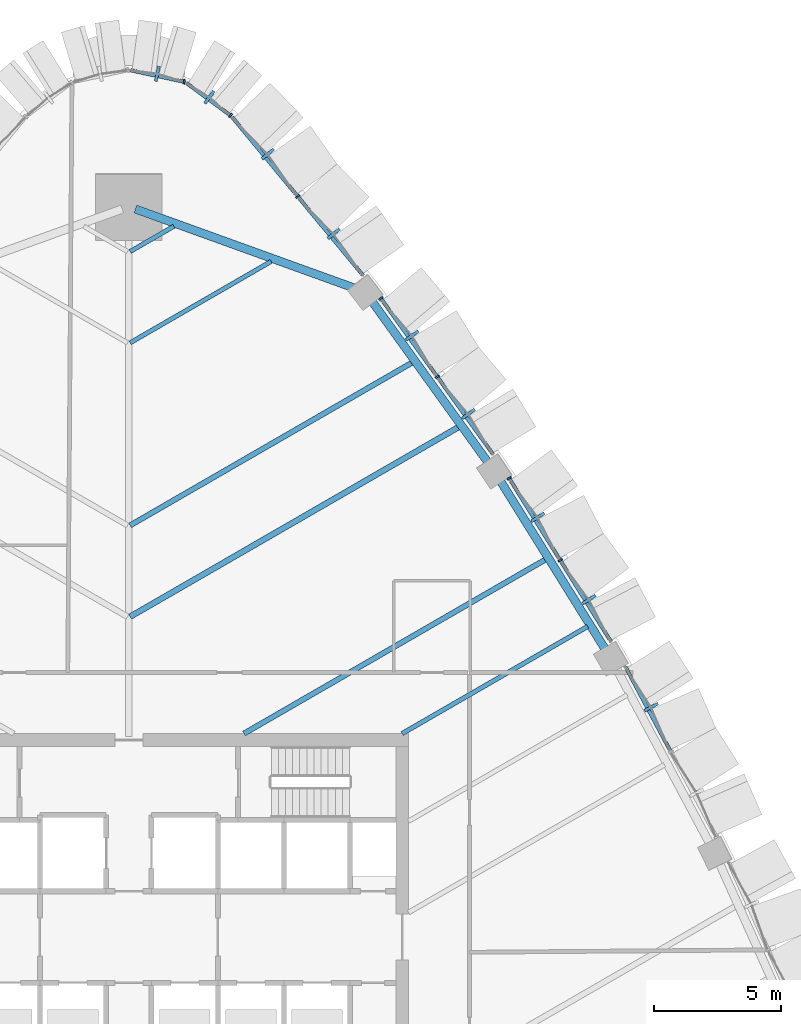
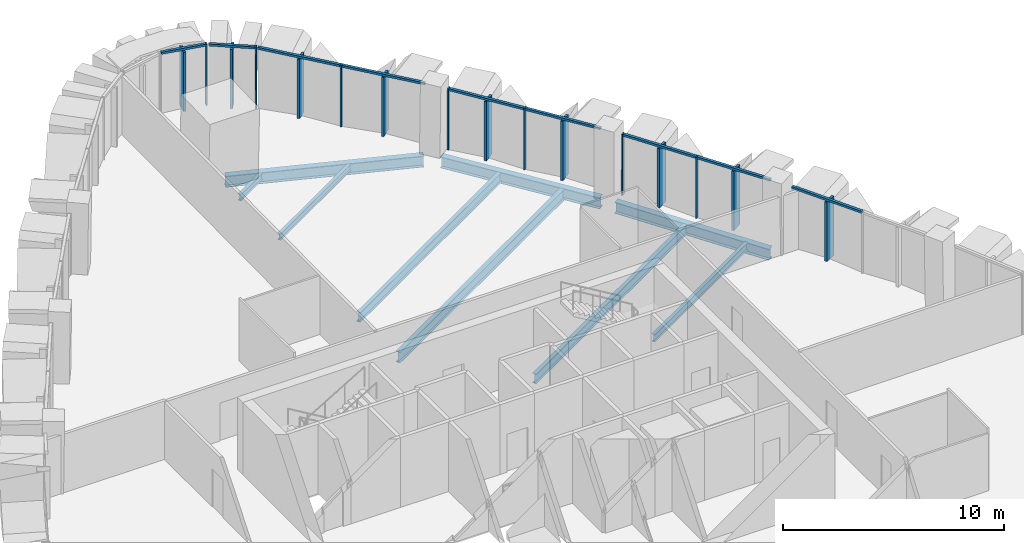
# One storey, part 7 of 18: 25 members, 9 beams, 6 elements without a shape of their own.
"""IFC4 building model written with IfcOpenShell, lengths in metres."""

from ifc_helpers import new_model, si_unit, direction, frame, origin, origin_2d, place, context, subcontext, project, spatial, rectangle, i_section, extrude, material, layer, layer_set, material_profile, profile_set, type_object, element, aggregate, save


model = new_model("IFC4")

# Units and contexts
model_context = context("Model", 3, precision=1e-05, world=origin(), true_north=direction((0.0, 1.0)))
body_context = subcontext(model_context, "Body", "Model", "MODEL_VIEW")
ifc_project = project(units=[si_unit("LENGTHUNIT", "METRE"), si_unit("AREAUNIT", "SQUARE_METRE"), si_unit("VOLUMEUNIT", "CUBIC_METRE"), si_unit("PLANEANGLEUNIT", "RADIAN"), si_unit("MASSUNIT", "GRAM", prefix="KILO")], contexts=[model_context])

# Site, building, storey
site_placement = place(None, origin())
site = spatial("IfcSite", under=ifc_project, at=site_placement, CompositionType="ELEMENT")
building_placement = place(site_placement, origin())
building = spatial("IfcBuilding", under=site, at=building_placement, Name="Sierra Prisma Convention Tower", CompositionType="ELEMENT")
storey_placement = place(building_placement, frame((0.0, 0.0, 133.800048828125)))
storey = spatial("IfcBuildingStorey", under=building, at=storey_placement, Name="L28", CompositionType="ELEMENT", Elevation=133.800048828125)

# Curtain wall, member
ifc_material_1 = material(Name="Aluminium and glass curtain wall", Category="aluminium")
ifc_layer = layer(ifc_material_1, 0.179931640625)
ifc_layer_set = layer_set([ifc_layer], Name="CW-2 Faceted crystal curtain wall")
curtain_wall_type = type_object("IfcCurtainWallType", Name="CW-2 Faceted crystal curtain wall", PredefinedType="NOTDEFINED", material=ifc_layer_set)
curtain_wall_1_placement = place(storey_placement, origin())
curtain_wall_1 = element("IfcCurtainWall", 1, at=curtain_wall_1_placement, inside=storey, type_object=curtain_wall_type, Name="CW-2 NE3 L28", PredefinedType="NOTDEFINED")
ifc_material_2 = material(Name="Aluminium 6063-T6 bronze anodised", Category="aluminium")
ifc_material_profile_1 = material_profile(ifc_material_2, rectangle(XDim=0.1201171875, YDim=0.60009765625, at=origin_2d()), Name="ALU RIDGE BLADE 120x600")
ifc_profile_set_1 = profile_set([ifc_material_profile_1], Name="Aluminium 6063-T6 bronze anodised")
member_type_1 = type_object("IfcMemberType", Name="CW hip bronze", PredefinedType="MULLION", material=ifc_profile_set_1)
member_1_placement = place(storey_placement, frame((20.54296875, 9.0380859375, 0.0), z_axis=(0.0, 0.0, 1.0), x_axis=(-0.470728465167, 0.882278137597, 0.0)))
member_1 = element("IfcMember", 2, at=member_1_placement, type_object=member_type_1, Name="CW-2 ridge NE3.2", PredefinedType="MULLION", context=body_context, shape_type="SweptSolid", body=[
    extrude(rectangle(XDim=0.1201171875, YDim=0.60009765625, at=origin_2d()), origin(), (0.0, 0.0, 1.0), 3.280029296875),
])

# Curtain wall, members
curtain_wall_2_placement = place(storey_placement, origin())
curtain_wall_2 = element("IfcCurtainWall", 3, at=curtain_wall_2_placement, inside=storey, type_object=curtain_wall_type, Name="CW-2 NE4 L28", PredefinedType="NOTDEFINED")
member_2_placement = place(storey_placement, frame((18.0986328125, 13.271484375, 0.0), z_axis=(0.0, 0.0, 1.0), x_axis=(-0.52871104778, 0.848801877917, 0.0)))
member_2 = element("IfcMember", 4, at=member_2_placement, type_object=member_type_1, Name="CW-2 ridge NE4.1", PredefinedType="MULLION", context=body_context, shape_type="SweptSolid", body=[
    extrude(rectangle(XDim=0.1201171875, YDim=0.60009765625, at=origin_2d()), origin(), (0.0, 0.0, 1.0), 3.280029296875),
])
member_3_placement = place(storey_placement, frame((16.083740234375, 16.506591796875, 0.0), z_axis=(0.0, 0.0, 1.0), x_axis=(-0.52871104778, 0.848801877917, 0.0)))
member_3 = element("IfcMember", 5, at=member_3_placement, type_object=member_type_1, Name="CW-2 ridge NE4.2", PredefinedType="MULLION", context=body_context, shape_type="SweptSolid", body=[
    extrude(rectangle(XDim=0.1201171875, YDim=0.60009765625, at=origin_2d()), origin(), (0.0, 0.0, 1.0), 3.280029296875),
])

curtain_wall_3_placement = place(storey_placement, origin())
curtain_wall_3 = element("IfcCurtainWall", 6, at=curtain_wall_3_placement, inside=storey, type_object=curtain_wall_type, Name="CW-2 NE5 L28", PredefinedType="NOTDEFINED")
member_4_placement = place(storey_placement, frame((13.359130859375, 20.57080078125, 0.0), z_axis=(0.0, 0.0, 1.0), x_axis=(-0.584323609195, 0.811520745106, 0.0)))
member_4 = element("IfcMember", 7, at=member_4_placement, type_object=member_type_1, Name="CW-2 ridge NE5.1", PredefinedType="MULLION", context=body_context, shape_type="SweptSolid", body=[
    extrude(rectangle(XDim=0.1201171875, YDim=0.60009765625, at=origin_2d()), origin(), (0.0, 0.0, 1.0), 3.280029296875),
])
member_5_placement = place(storey_placement, frame((11.14111328125, 23.651123046875, 0.0), z_axis=(0.0, 0.0, 1.0), x_axis=(-0.584323609195, 0.811520745106, 0.0)))
member_5 = element("IfcMember", 8, at=member_5_placement, type_object=member_type_1, Name="CW-2 ridge NE5.2", PredefinedType="MULLION", context=body_context, shape_type="SweptSolid", body=[
    extrude(rectangle(XDim=0.1201171875, YDim=0.60009765625, at=origin_2d()), origin(), (0.0, 0.0, 1.0), 3.280029296875),
])

curtain_wall_4_placement = place(storey_placement, origin())
curtain_wall_4 = element("IfcCurtainWall", 9, at=curtain_wall_4_placement, inside=storey, type_object=curtain_wall_type, Name="CW-2 NE6 L28", PredefinedType="NOTDEFINED")
member_6_placement = place(storey_placement, frame((8.0595703125, 27.654541015625, 0.0), z_axis=(0.0, 0.0, 1.0), x_axis=(-0.637316858315, 0.770601857062, 0.0)))
member_6 = element("IfcMember", 10, at=member_6_placement, type_object=member_type_1, Name="CW-2 ridge NE6.1", PredefinedType="MULLION", context=body_context, shape_type="SweptSolid", body=[
    extrude(rectangle(XDim=0.1201171875, YDim=0.60009765625, at=origin_2d()), origin(), (0.0, 0.0, 1.0), 3.280029296875),
])
member_7_placement = place(storey_placement, frame((5.46728515625, 30.7890625, 0.0), z_axis=(0.0, 0.0, 1.0), x_axis=(-0.637316858315, 0.770601857062, 0.0)))
member_7 = element("IfcMember", 11, at=member_7_placement, type_object=member_type_1, Name="CW-2 ridge NE6.2", PredefinedType="MULLION", context=body_context, shape_type="SweptSolid", body=[
    extrude(rectangle(XDim=0.1201171875, YDim=0.60009765625, at=origin_2d()), origin(), (0.0, 0.0, 1.0), 3.280029296875),
])

# Curtain wall, member
curtain_wall_5_placement = place(storey_placement, origin())
curtain_wall_5 = element("IfcCurtainWall", 12, at=curtain_wall_5_placement, inside=storey, type_object=curtain_wall_type, Name="CW-2 N1 L28", PredefinedType="NOTDEFINED")
member_8_placement = place(storey_placement, frame((3.16748046875, 33.019775390625, 0.0), z_axis=(0.0, 0.0, 1.0), x_axis=(-0.805233696443, 0.592957582052, 0.0)))
member_8 = element("IfcMember", 13, at=member_8_placement, type_object=member_type_1, Name="CW-2 ridge N1.1", PredefinedType="MULLION", context=body_context, shape_type="SweptSolid", body=[
    extrude(rectangle(XDim=0.1201171875, YDim=0.60009765625, at=origin_2d()), origin(), (0.0, 0.0, 1.0), 3.280029296875),
])

curtain_wall_6_placement = place(storey_placement, origin())
curtain_wall_6 = element("IfcCurtainWall", 14, at=curtain_wall_6_placement, inside=storey, type_object=curtain_wall_type, Name="CW-2 N2 L28", PredefinedType="NOTDEFINED")
member_9_placement = place(storey_placement, frame((1.121826171875, 33.941162109375, 0.0), z_axis=(0.0, 0.0, 1.0), x_axis=(-0.977701248375, 0.2100006403, 0.0)))
member_9 = element("IfcMember", 15, at=member_9_placement, type_object=member_type_1, Name="CW-2 ridge N2.1", PredefinedType="MULLION", context=body_context, shape_type="SweptSolid", body=[
    extrude(rectangle(XDim=0.1201171875, YDim=0.60009765625, at=origin_2d()), origin(), (0.0, 0.0, 1.0), 3.280029296875),
])

# Member
ifc_material_3 = material(Name="Aluminium 6063-T6 bronze anodised", Category="aluminium")
ifc_material_profile_2 = material_profile(ifc_material_3, rectangle(XDim=0.179931640625, YDim=0.070068359375, at=origin_2d()), Name="ALU MULLION 70x180")
ifc_profile_set_2 = profile_set([ifc_material_profile_2], Name="Aluminium 6063-T6 bronze anodised")
member_type_2 = type_object("IfcMemberType", Name="CW mullion bronze", PredefinedType="MULLION", material=ifc_profile_set_2)
member_10_placement = place(storey_placement, frame((16.96630859375, 14.811279296875, 0.0), z_axis=(0.0, 0.0, 1.0), x_axis=(-0.848801877917, -0.52871104778, 0.0)))
member_10 = element("IfcMember", 16, at=member_10_placement, type_object=member_type_2, Name="CW-1 mullion NE4.2", PredefinedType="MULLION", context=body_context, shape_type="SweptSolid", body=[
    extrude(rectangle(XDim=0.179931640625, YDim=0.070068359375, at=origin_2d()), origin(), (0.0, 0.0, 1.0), 3.39990234375),
])

member_11_placement = place(storey_placement, frame((14.951171875, 18.046142578125, 0.0), z_axis=(0.0, 0.0, 1.0), x_axis=(-0.848801877917, -0.52871104778, 0.0)))
member_11 = element("IfcMember", 17, at=member_11_placement, type_object=member_type_2, Name="CW-1 mullion NE4.3", PredefinedType="MULLION", context=body_context, shape_type="SweptSolid", body=[
    extrude(rectangle(XDim=0.179931640625, YDim=0.070068359375, at=origin_2d()), origin(), (0.0, 0.0, 1.0), 3.39990234375),
])

member_12_placement = place(storey_placement, frame((12.131103515625, 22.025390625, 0.0), z_axis=(0.0, 0.0, 1.0), x_axis=(-0.811520745106, -0.584323609195, 0.0)))
member_12 = element("IfcMember", 18, at=member_12_placement, type_object=member_type_2, Name="CW-1 mullion NE5.2", PredefinedType="MULLION", context=body_context, shape_type="SweptSolid", body=[
    extrude(rectangle(XDim=0.179931640625, YDim=0.070068359375, at=origin_2d()), origin(), (0.0, 0.0, 1.0), 3.39990234375),
])

member_13_placement = place(storey_placement, frame((9.9130859375, 25.105712890625, 0.0), z_axis=(0.0, 0.0, 1.0), x_axis=(-0.811520745106, -0.584323609195, 0.0)))
member_13 = element("IfcMember", 19, at=member_13_placement, type_object=member_type_2, Name="CW-1 mullion NE5.3", PredefinedType="MULLION", context=body_context, shape_type="SweptSolid", body=[
    extrude(rectangle(XDim=0.179931640625, YDim=0.070068359375, at=origin_2d()), origin(), (0.0, 0.0, 1.0), 3.39990234375),
])

member_14_placement = place(storey_placement, frame((6.64208984375, 29.12158203125, 0.0), z_axis=(0.0, 0.0, 1.0), x_axis=(-0.770601857062, -0.637316858315, 0.0)))
member_14 = element("IfcMember", 20, at=member_14_placement, type_object=member_type_2, Name="CW-1 mullion NE6.2", PredefinedType="MULLION", context=body_context, shape_type="SweptSolid", body=[
    extrude(rectangle(XDim=0.179931640625, YDim=0.070068359375, at=origin_2d()), origin(), (0.0, 0.0, 1.0), 3.39990234375),
])

member_15_placement = place(storey_placement, frame((3.99951171875, 32.3037109375, 0.0), z_axis=(0.0, 0.0, 1.0), x_axis=(-0.592957582052, -0.805233696443, 0.0)))
member_15 = element("IfcMember", 21, at=member_15_placement, type_object=member_type_2, Name="CW-1 mullion N1.1", PredefinedType="MULLION", context=body_context, shape_type="SweptSolid", body=[
    extrude(rectangle(XDim=0.179931640625, YDim=0.070068359375, at=origin_2d()), origin(), (0.0, 0.0, 1.0), 3.39990234375),
])

member_16_placement = place(storey_placement, frame((2.17431640625, 33.629638671875, 0.0), z_axis=(0.0, 0.0, 1.0), x_axis=(-0.2100006403, -0.977701248375, 0.0)))
member_16 = element("IfcMember", 22, at=member_16_placement, type_object=member_type_2, Name="CW-1 mullion N2.1", PredefinedType="MULLION", context=body_context, shape_type="SweptSolid", body=[
    extrude(rectangle(XDim=0.179931640625, YDim=0.070068359375, at=origin_2d()), origin(), (0.0, 0.0, 1.0), 3.39990234375),
])

ifc_material_4 = material(Name="Aluminium 6063-T6 bronze anodised", Category="aluminium")
ifc_material_profile_3 = material_profile(ifc_material_4, rectangle(XDim=0.139892578125, YDim=0.1201171875, at=origin_2d()), Name="ALU TRANSOM 120x140")
ifc_profile_set_3 = profile_set([ifc_material_profile_3], Name="Aluminium 6063-T6 bronze anodised")
member_type_3 = type_object("IfcMemberType", Name="CW transom bronze", PredefinedType="USERDEFINED", material=ifc_profile_set_3)
member_17_placement = place(storey_placement, frame((21.29345703125, 7.318603515625, 3.33984375), z_axis=(-0.470733882541, 0.882275247203, 0.0), x_axis=(-0.882275247203, -0.470733882541, 0.0)))
member_17 = element("IfcMember", 23, at=member_17_placement, type_object=member_type_3, Name="CW-1 transom NE3.2", ObjectType="TRANSOM", PredefinedType="USERDEFINED", context=body_context, shape_type="SweptSolid", body=[
    extrude(rectangle(XDim=0.139892578125, YDim=0.1201171875, at=origin_2d()), origin(), (0.0, 0.0, 1.0), 3.740966796875),
])

aggregate(curtain_wall_1, [member_17, member_1])

member_18_placement = place(storey_placement, frame((18.962646484375, 11.60595703125, 3.33984375), z_axis=(-0.528713718505, 0.848800214341, 0.0), x_axis=(-0.848800214341, -0.528713718505, 0.0)))
member_18 = element("IfcMember", 24, at=member_18_placement, type_object=member_type_3, Name="CW-1 transom NE4.1", ObjectType="TRANSOM", PredefinedType="USERDEFINED", context=body_context, shape_type="SweptSolid", body=[
    extrude(rectangle(XDim=0.139892578125, YDim=0.1201171875, at=origin_2d()), origin(), (0.0, 0.0, 1.0), 3.7412109375),
])

member_19_placement = place(storey_placement, frame((16.94775390625, 14.8408203125, 3.33984375), z_axis=(-0.528713718505, 0.848800214341, 0.0), x_axis=(-0.848800214341, -0.528713718505, 0.0)))
member_19 = element("IfcMember", 25, at=member_19_placement, type_object=member_type_3, Name="CW-1 transom NE4.2", ObjectType="TRANSOM", PredefinedType="USERDEFINED", context=body_context, shape_type="SweptSolid", body=[
    extrude(rectangle(XDim=0.139892578125, YDim=0.1201171875, at=origin_2d()), origin(), (0.0, 0.0, 1.0), 3.7412109375),
])

aggregate(curtain_wall_2, [member_10, member_11, member_18, member_2, member_19, member_3])

member_20_placement = place(storey_placement, frame((14.32861328125, 18.973388671875, 3.33984375), z_axis=(-0.584327167255, 0.811518183165, 0.0), x_axis=(-0.811518183165, -0.584327167255, 0.0)))
member_20 = element("IfcMember", 26, at=member_20_placement, type_object=member_type_3, Name="CW-1 transom NE5.1", ObjectType="TRANSOM", PredefinedType="USERDEFINED", context=body_context, shape_type="SweptSolid", body=[
    extrude(rectangle(XDim=0.139892578125, YDim=0.1201171875, at=origin_2d()), origin(), (0.0, 0.0, 1.0), 3.7255859375),
])

member_21_placement = place(storey_placement, frame((12.11083984375, 22.0537109375, 3.33984375), z_axis=(-0.584339247748, 0.811509484566, 0.0), x_axis=(-0.811509484566, -0.584339247748, 0.0)))
member_21 = element("IfcMember", 27, at=member_21_placement, type_object=member_type_3, Name="CW-1 transom NE5.2", ObjectType="TRANSOM", PredefinedType="USERDEFINED", context=body_context, shape_type="SweptSolid", body=[
    extrude(rectangle(XDim=0.139892578125, YDim=0.1201171875, at=origin_2d()), origin(), (0.0, 0.0, 1.0), 3.72607421875),
])

aggregate(curtain_wall_3, [member_12, member_13, member_20, member_4, member_21, member_5])

member_22_placement = place(storey_placement, frame((9.212158203125, 26.01416015625, 3.33984375), z_axis=(-0.637326439654, 0.770593932833, 0.0), x_axis=(-0.770593932833, -0.637326439654, 0.0)))
member_22 = element("IfcMember", 28, at=member_22_placement, type_object=member_type_3, Name="CW-1 transom NE6.1", ObjectType="TRANSOM", PredefinedType="USERDEFINED", context=body_context, shape_type="SweptSolid", body=[
    extrude(rectangle(XDim=0.139892578125, YDim=0.1201171875, at=origin_2d()), origin(), (0.0, 0.0, 1.0), 3.997314453125),
])

member_23_placement = place(storey_placement, frame((6.619873046875, 29.1484375, 3.33984375), z_axis=(-0.63729644502, 0.770618739173, 0.0), x_axis=(-0.770618739173, -0.63729644502, 0.0)))
member_23 = element("IfcMember", 29, at=member_23_placement, type_object=member_type_3, Name="CW-1 transom NE6.2", ObjectType="TRANSOM", PredefinedType="USERDEFINED", context=body_context, shape_type="SweptSolid", body=[
    extrude(rectangle(XDim=0.139892578125, YDim=0.1201171875, at=origin_2d()), origin(), (0.0, 0.0, 1.0), 3.99755859375),
])

aggregate(curtain_wall_4, [member_14, member_22, member_6, member_23, member_7])

member_24_placement = place(storey_placement, frame((3.97119140625, 32.324462890625, 3.33984375), z_axis=(-0.805264298509, 0.592916022339, 0.0), x_axis=(-0.592916022339, -0.805264298509, 0.0)))
member_24 = element("IfcMember", 30, at=member_24_placement, type_object=member_type_3, Name="CW-1 transom N1.1", ObjectType="TRANSOM", PredefinedType="USERDEFINED", context=body_context, shape_type="SweptSolid", body=[
    extrude(rectangle(XDim=0.139892578125, YDim=0.1201171875, at=origin_2d()), origin(), (0.0, 0.0, 1.0), 2.118896484375),
])

aggregate(curtain_wall_5, [member_15, member_24, member_8])

member_25_placement = place(storey_placement, frame((2.14013671875, 33.636962890625, 3.33984375), z_axis=(-0.977694377948, 0.21003262444, 0.0), x_axis=(-0.21003262444, -0.977694377948, 0.0)))
member_25 = element("IfcMember", 31, at=member_25_placement, type_object=member_type_3, Name="CW-1 transom N2.1", ObjectType="TRANSOM", PredefinedType="USERDEFINED", context=body_context, shape_type="SweptSolid", body=[
    extrude(rectangle(XDim=0.139892578125, YDim=0.1201171875, at=origin_2d()), origin(), (0.0, 0.0, 1.0), 2.119140625),
])

aggregate(curtain_wall_6, [member_16, member_25, member_9])

# Beams
ifc_material_5 = material(Name="Steel ASTM A992 Gr 50", Category="steel")
ifc_material_profile_4 = material_profile(ifc_material_5, i_section(OverallWidth=0.172119140625, OverallDepth=0.35791015625, WebThickness=0.0078125, FlangeThickness=0.01318359375, at=origin_2d()), Name="W360x57")
ifc_profile_set_4 = profile_set([ifc_material_profile_4], Name="Steel ASTM A992 Gr 50")
beam_type_1 = type_object("IfcBeamType", Name="Floor joist W360x57", PredefinedType="JOIST", material=ifc_profile_set_4)
beam_1_placement = place(storey_placement, frame((5.597412109375, 26.565185546875, -0.3291015625), z_axis=(-0.866022445337, -0.500005124146, 0.0), x_axis=(0.500005124146, -0.866022445337, 0.0)))
element("IfcBeam", 32, at=beam_1_placement, inside=storey, type_object=beam_type_1, Name="Floor joist L28 NE15", PredefinedType="JOIST", context=body_context, shape_type="SweptSolid", body=[
    extrude(i_section(OverallWidth=0.172119140625, OverallDepth=0.35791015625, WebThickness=0.0078125, FlangeThickness=0.01318359375, at=origin_2d()), origin(), (0.0, 0.0, 1.0), 6.40478515625),
])
beam_2_placement = place(storey_placement, frame((1.77197265625, 27.9462890625, -0.3291015625), z_axis=(-0.866042392862, -0.4999705729, 0.0), x_axis=(0.4999705729, -0.866042392862, 0.0)))
element("IfcBeam", 33, at=beam_2_placement, inside=storey, type_object=beam_type_1, Name="Floor joist L28 NE16", PredefinedType="JOIST", context=body_context, shape_type="SweptSolid", body=[
    extrude(i_section(OverallWidth=0.172119140625, OverallDepth=0.35791015625, WebThickness=0.0078125, FlangeThickness=0.01318359375, at=origin_2d()), origin(), (0.0, 0.0, 1.0), 1.9873046875),
])
ifc_material_6 = material(Name="Steel ASTM A992 Gr 50", Category="steel")
ifc_material_profile_5 = material_profile(ifc_material_6, i_section(OverallWidth=0.177978515625, OverallDepth=0.406982421875, WebThickness=0.0078125, FlangeThickness=0.0126953125, at=origin_2d()), Name="W410x60")
ifc_profile_set_5 = profile_set([ifc_material_profile_5], Name="Steel ASTM A992 Gr 50")
beam_type_2 = type_object("IfcBeamType", Name="Floor joist W410x60", PredefinedType="JOIST", material=ifc_profile_set_5)
beam_3_placement = place(storey_placement, frame((18.041259765625, 12.2109375, -0.353515625), z_axis=(-0.86602966267, -0.499992623322, 0.0), x_axis=(0.499992623322, -0.86602966267, 0.0)))
element("IfcBeam", 34, at=beam_3_placement, inside=storey, type_object=beam_type_2, Name="Floor joist L28 NE09", PredefinedType="JOIST", context=body_context, shape_type="SweptSolid", body=[
    extrude(i_section(OverallWidth=0.177978515625, OverallDepth=0.406982421875, WebThickness=0.0078125, FlangeThickness=0.0126953125, at=origin_2d()), origin(), (0.0, 0.0, 1.0), 8.422119140625),
])
ifc_material_7 = material(Name="Steel ASTM A992 Gr 50", Category="steel")
ifc_material_profile_6 = material_profile(ifc_material_7, i_section(OverallWidth=0.208984375, OverallDepth=0.532958984375, WebThickness=0.01025390625, FlangeThickness=0.015625, at=origin_2d()), Name="W530x92")
ifc_profile_set_6 = profile_set([ifc_material_profile_6], Name="Steel ASTM A992 Gr 50")
beam_type_3 = type_object("IfcBeamType", Name="Floor joist W530x92", PredefinedType="JOIST", material=ifc_profile_set_6)
beam_4_placement = place(storey_placement, frame((16.396484375, 14.851318359375, -0.41650390625), z_axis=(-0.866018535899, -0.500011895338, 0.0), x_axis=(0.500011895338, -0.866018535899, 0.0)))
element("IfcBeam", 35, at=beam_4_placement, inside=storey, type_object=beam_type_3, Name="Floor joist L28 NE10", PredefinedType="JOIST", context=body_context, shape_type="SweptSolid", body=[
    extrude(i_section(OverallWidth=0.208984375, OverallDepth=0.532958984375, WebThickness=0.01025390625, FlangeThickness=0.015625, at=origin_2d()), origin(), (0.0, 0.0, 1.0), 13.702392578125),
])
beam_5_placement = place(storey_placement, frame((11.152587890625, 22.5927734375, -0.41650390625), z_axis=(-0.866032403439, -0.499987876047, 0.0), x_axis=(0.499987876047, -0.866032403439, 0.0)))
element("IfcBeam", 36, at=beam_5_placement, inside=storey, type_object=beam_type_3, Name="Floor joist L28 NE13", PredefinedType="JOIST", context=body_context, shape_type="SweptSolid", body=[
    extrude(i_section(OverallWidth=0.208984375, OverallDepth=0.532958984375, WebThickness=0.01025390625, FlangeThickness=0.015625, at=origin_2d()), origin(), (0.0, 0.0, 1.0), 12.819091796875),
])
ifc_material_8 = material(Name="Steel ASTM A992 Gr 50", Category="steel")
ifc_material_profile_7 = material_profile(ifc_material_8, i_section(OverallWidth=0.22802734375, OverallDepth=0.60302734375, WebThickness=0.010498046875, FlangeThickness=0.014892578125, at=origin_2d()), Name="W610x101")
ifc_profile_set_7 = profile_set([ifc_material_profile_7], Name="Steel ASTM A992 Gr 50")
beam_type_4 = type_object("IfcBeamType", Name="Floor joist W610x101", PredefinedType="JOIST", material=ifc_profile_set_7)
beam_6_placement = place(storey_placement, frame((12.978271484375, 20.05712890625, -0.45166015625), z_axis=(-0.866027344991, -0.499996637716, 0.0), x_axis=(0.499996637716, -0.866027344991, 0.0)))
element("IfcBeam", 37, at=beam_6_placement, inside=storey, type_object=beam_type_4, Name="Floor joist L28 NE12", PredefinedType="JOIST", context=body_context, shape_type="SweptSolid", body=[
    extrude(i_section(OverallWidth=0.22802734375, OverallDepth=0.60302734375, WebThickness=0.010498046875, FlangeThickness=0.014892578125, at=origin_2d()), origin(), (0.0, 0.0, 1.0), 14.92724609375),
])
ifc_material_9 = material(Name="Steel ASTM A992 Gr 50", Category="steel")
ifc_material_profile_8 = material_profile(ifc_material_9, i_section(OverallWidth=0.324951171875, OverallDepth=0.615966796875, WebThickness=0.013916015625, FlangeThickness=0.021484375, at=origin_2d()), Name="W610x174")
ifc_profile_set_8 = profile_set([ifc_material_profile_8], Name="Steel ASTM A992 Gr 50")
beam_type_5 = type_object("IfcBeamType", Name="Spandrel beam W610x174", PredefinedType="BEAM", material=ifc_profile_set_8)
for number, where, z_axis, x_axis, name in (
    (38, (18.760009765625, 11.269775390625, -0.4580078125), (-0.528693390104, 0.848812876469, 0.0), (-0.848812876469, -0.528693390104, 0.0), "Spandrel L28-10"),
    (39, (14.14892578125, 18.62451171875, -0.4580078125), (-0.58432746065, 0.811517971909, 0.0), (-0.811517971909, -0.58432746065, 0.0), "Spandrel L28-11"),
):
    element("IfcBeam", number, at=place(storey_placement, frame(where, z_axis=z_axis, x_axis=x_axis)), inside=storey, type_object=beam_type_5, Name=name, PredefinedType="BEAM", context=body_context, shape_type="SweptSolid", body=[
        extrude(i_section(OverallWidth=0.324951171875, OverallDepth=0.615966796875, WebThickness=0.013916015625, FlangeThickness=0.021484375, at=origin_2d()), origin(), (0.0, 0.0, 1.0), 7.9208984375),
    ])
beam_7_placement = place(storey_placement, frame((8.853759765625, 25.521484375, -0.4580078125), z_axis=(-0.940571918944, 0.339594560166, 0.0), x_axis=(-0.339594560166, -0.940571918944, 0.0)))
element("IfcBeam", 40, at=beam_7_placement, inside=storey, type_object=beam_type_5, Name="Spandrel L28-12", PredefinedType="BEAM", context=body_context, shape_type="SweptSolid", body=[
    extrude(i_section(OverallWidth=0.324951171875, OverallDepth=0.615966796875, WebThickness=0.013916015625, FlangeThickness=0.021484375, at=origin_2d()), origin(), (0.0, 0.0, 1.0), 9.13671875),
])

save(model, "model.ifc")
